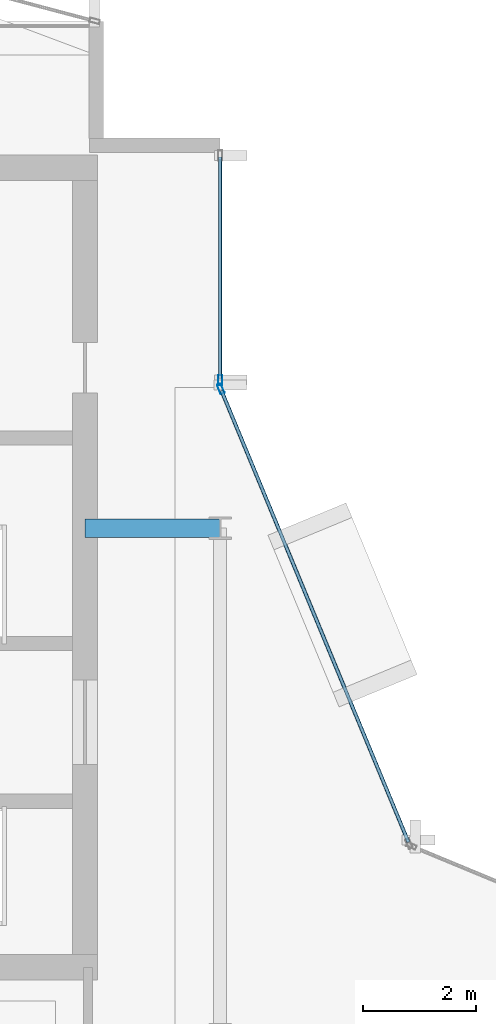
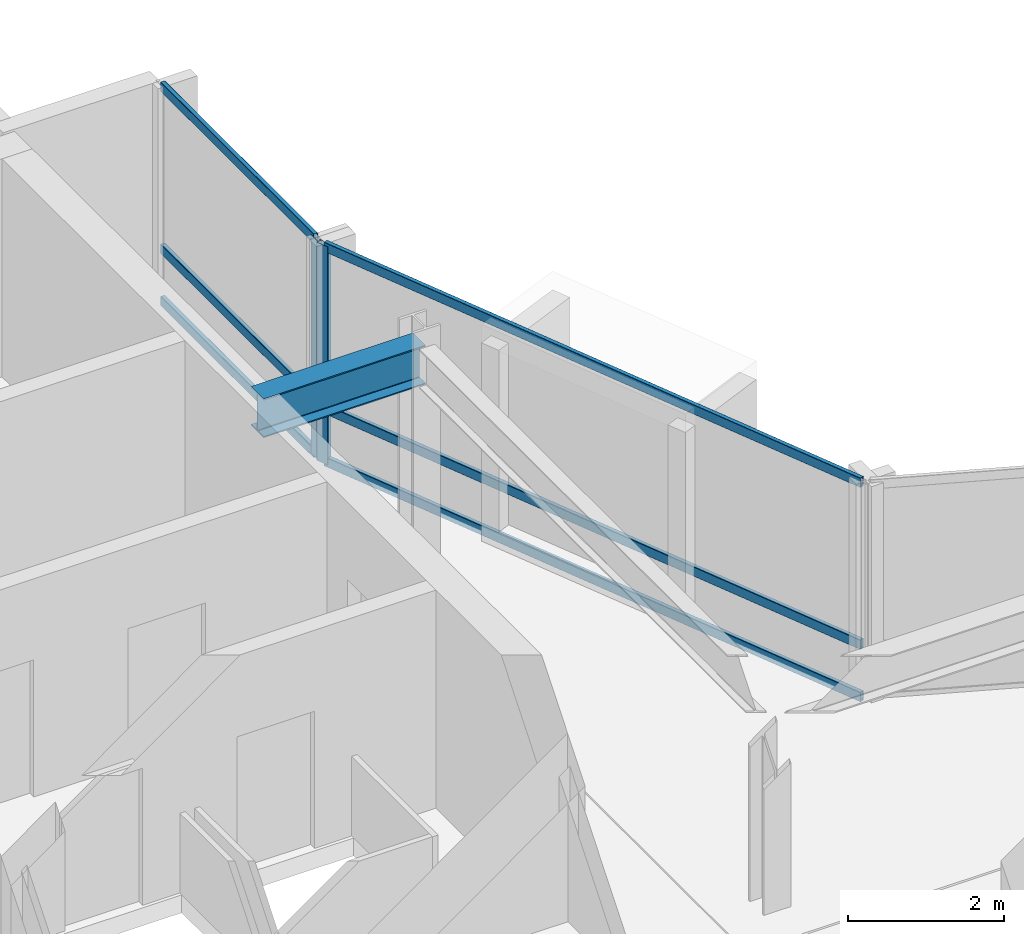
# One storey, part 17 of 27: 8 members, 1 beam, 2 elements without a shape of their own.
"""IFC4 building model written with IfcOpenShell, lengths in metres."""

from ifc_helpers import new_model, si_unit, direction, frame, origin, origin_2d, place, context, subcontext, project, spatial, hollow_rectangle, i_section, extrude, material, layer, layer_set, material_profile, profile_set, type_object, element, aggregate, save


model = new_model("IFC4")

# Units and contexts
model_context = context("Model", 3, precision=1e-05, world=origin(), true_north=direction((0.0, 1.0)))
body_context = subcontext(model_context, "Body", "Model", "MODEL_VIEW")
ifc_project = project(units=[si_unit("LENGTHUNIT", "METRE"), si_unit("AREAUNIT", "SQUARE_METRE"), si_unit("VOLUMEUNIT", "CUBIC_METRE"), si_unit("PLANEANGLEUNIT", "RADIAN"), si_unit("MASSUNIT", "GRAM", prefix="KILO")], contexts=[model_context])

# Site, building, storey
site_placement = place(None, origin())
site = spatial("IfcSite", under=ifc_project, at=site_placement, CompositionType="ELEMENT")
building_placement = place(site_placement, origin())
building = spatial("IfcBuilding", under=site, at=building_placement, Name="Solvaryn Broadcast Tower", CompositionType="ELEMENT")
storey_placement = place(building_placement, frame((0.0, 0.0, 224.699951171875)))
storey = spatial("IfcBuildingStorey", under=building, at=storey_placement, Name="L56", CompositionType="ELEMENT", Elevation=224.699951171875)

# Beam
ifc_material_1 = material(Name="Steel ASTM A992 Grade 50", Category="steel")
ifc_material_profile_1 = material_profile(ifc_material_1, i_section(OverallWidth=0.323974609375, OverallDepth=0.611083984375, WebThickness=0.0126953125, FlangeThickness=0.01904296875, FilletRadius=0.014892578125, at=origin_2d()))
ifc_profile_set_1 = profile_set([ifc_material_profile_1], Name="Steel ASTM A992 Grade 50")
beam_type = type_object("IfcBeamType", Name="BM-B1-W24X104", PredefinedType="BEAM", material=ifc_profile_set_1)
beam_placement = place(storey_placement, frame((24.60009765625, 36.0, 3.114501953125), z_axis=(1.0, 0.0, 0.0), x_axis=(0.0, 1.0, 0.0)))
element("IfcBeam", 1, at=beam_placement, inside=storey, type_object=beam_type, Name="L56 Core Tie Beam CTW2", PredefinedType="BEAM", context=body_context, shape_type="SweptSolid", body=[
    extrude(i_section(OverallWidth=0.323974609375, OverallDepth=0.611083984375, WebThickness=0.0126953125, FlangeThickness=0.01904296875, FilletRadius=0.014892578125, at=origin_2d()), origin(), (0.0, 0.0, 1.0), 2.39990234375),
])

# Curtain wall, member
ifc_material_2 = material(Name="Aluminium and Terracotta Unitised Curtain Wall", Category="masonry")
ifc_layer = layer(ifc_material_2, 0.199951171875)
ifc_layer_set = layer_set([ifc_layer], Name="CW-SYS2-LOWMID")
curtain_wall_type = type_object("IfcCurtainWallType", Name="CW-SYS2-LOWMID", PredefinedType="NOTDEFINED", material=ifc_layer_set)
curtain_wall_1_placement = place(storey_placement, origin())
curtain_wall_1 = element("IfcCurtainWall", 2, at=curtain_wall_1_placement, inside=storey, type_object=curtain_wall_type, Name="L56 Curtain Wall IV", PredefinedType="NOTDEFINED")
ifc_material_3 = material(Name="Anodised Aluminium 6063-T6", Category="aluminium")
ifc_material_profile_2 = material_profile(ifc_material_3, hollow_rectangle(XDim=0.074951171875, YDim=0.179931640625, WallThickness=0.00390625, InnerFilletRadius=0.00390625, OuterFilletRadius=0.008056640625, at=origin_2d()))
ifc_profile_set_2 = profile_set([ifc_material_profile_2], Name="Anodised Aluminium 6063-T6")
member_type_1 = type_object("IfcMemberType", Name="CW-MUL-180", PredefinedType="MULLION", material=ifc_profile_set_2)
member_1_placement = place(storey_placement, frame((27.0, 38.6298828125, 0.0), z_axis=(0.0, 0.0, 1.0), x_axis=(1.0, 0.0, 0.0)))
member_1 = element("IfcMember", 3, at=member_1_placement, type_object=member_type_1, Name="CWS2 mullion 2", PredefinedType="MULLION", context=body_context, shape_type="SweptSolid", body=[
    extrude(hollow_rectangle(XDim=0.074951171875, YDim=0.179931640625, WallThickness=0.00390625, InnerFilletRadius=0.00390625, OuterFilletRadius=0.008056640625, at=origin_2d()), origin(), (0.0, 0.0, 1.0), 3.420166015625),
])

curtain_wall_2_placement = place(storey_placement, origin())
curtain_wall_2 = element("IfcCurtainWall", 4, at=curtain_wall_2_placement, inside=storey, type_object=curtain_wall_type, Name="L56 Curtain Wall CN2", PredefinedType="NOTDEFINED")
member_2_placement = place(storey_placement, frame((27.011474609375, 38.47216796875, 0.0), z_axis=(0.0, 0.0, 1.0), x_axis=(-0.923894983957, -0.382646127145, 0.0)))
member_2 = element("IfcMember", 5, at=member_2_placement, type_object=member_type_1, Name="CWS2 mullion 2", PredefinedType="MULLION", context=body_context, shape_type="SweptSolid", body=[
    extrude(hollow_rectangle(XDim=0.074951171875, YDim=0.179931640625, WallThickness=0.00390625, InnerFilletRadius=0.00390625, OuterFilletRadius=0.008056640625, at=origin_2d()), origin(), (0.0, 0.0, 1.0), 3.420166015625),
])

# Member
ifc_material_4 = material(Name="Anodised Aluminium 6063-T6", Category="aluminium")
ifc_material_profile_3 = material_profile(ifc_material_4, hollow_rectangle(XDim=0.06494140625, YDim=0.14990234375, WallThickness=0.00390625, InnerFilletRadius=0.00390625, OuterFilletRadius=0.008056640625, at=origin_2d()))
ifc_profile_set_3 = profile_set([ifc_material_profile_3], Name="Anodised Aluminium 6063-T6")
member_type_2 = type_object("IfcMemberType", Name="CW-TRN-150", PredefinedType="USERDEFINED", material=ifc_profile_set_3)
member_3_placement = place(storey_placement, frame((27.0, 42.590087890625, 0.030029296875), z_axis=(0.0, -1.0, 0.0), x_axis=(1.0, 0.0, 0.0)))
member_3 = element("IfcMember", 6, at=member_3_placement, type_object=member_type_2, Name="CWS2 transom 1.1", ObjectType="TRANSOM", PredefinedType="USERDEFINED", context=body_context, shape_type="SweptSolid", body=[
    extrude(hollow_rectangle(XDim=0.06494140625, YDim=0.14990234375, WallThickness=0.00390625, InnerFilletRadius=0.00390625, OuterFilletRadius=0.008056640625, at=origin_2d()), origin(), (0.0, 0.0, 1.0), 3.93017578125),
])

member_4_placement = place(storey_placement, frame((27.0, 42.590087890625, 0.85009765625), z_axis=(0.0, -1.0, 0.0), x_axis=(1.0, 0.0, 0.0)))
member_4 = element("IfcMember", 7, at=member_4_placement, type_object=member_type_2, Name="CWS2 transom 1.2", ObjectType="TRANSOM", PredefinedType="USERDEFINED", context=body_context, shape_type="SweptSolid", body=[
    extrude(hollow_rectangle(XDim=0.06494140625, YDim=0.14990234375, WallThickness=0.00390625, InnerFilletRadius=0.00390625, OuterFilletRadius=0.008056640625, at=origin_2d()), origin(), (0.0, 0.0, 1.0), 3.93017578125),
])

member_5_placement = place(storey_placement, frame((27.0, 42.590087890625, 3.39013671875), z_axis=(0.0, -1.0, 0.0), x_axis=(1.0, 0.0, 0.0)))
member_5 = element("IfcMember", 8, at=member_5_placement, type_object=member_type_2, Name="CWS2 transom 1.3", ObjectType="TRANSOM", PredefinedType="USERDEFINED", context=body_context, shape_type="SweptSolid", body=[
    extrude(hollow_rectangle(XDim=0.06494140625, YDim=0.14990234375, WallThickness=0.00390625, InnerFilletRadius=0.00390625, OuterFilletRadius=0.008056640625, at=origin_2d()), origin(), (0.0, 0.0, 1.0), 3.93017578125),
])

aggregate(curtain_wall_1, [member_1, member_3, member_4, member_5])

member_6_placement = place(storey_placement, frame((30.344970703125, 30.42333984375, 0.030029296875), z_axis=(-0.382635748975, 0.923899282177, 0.0), x_axis=(-0.923899282177, -0.382635748975, 0.0)))
member_6 = element("IfcMember", 9, at=member_6_placement, type_object=member_type_2, Name="CWS2 transom 1.1", ObjectType="TRANSOM", PredefinedType="USERDEFINED", context=body_context, shape_type="SweptSolid", body=[
    extrude(hollow_rectangle(XDim=0.06494140625, YDim=0.14990234375, WallThickness=0.00390625, InnerFilletRadius=0.00390625, OuterFilletRadius=0.008056640625, at=origin_2d()), origin(), (0.0, 0.0, 1.0), 8.681884765625),
])

member_7_placement = place(storey_placement, frame((30.344970703125, 30.42333984375, 0.85009765625), z_axis=(-0.382635748975, 0.923899282177, 0.0), x_axis=(-0.923899282177, -0.382635748975, 0.0)))
member_7 = element("IfcMember", 10, at=member_7_placement, type_object=member_type_2, Name="CWS2 transom 1.2", ObjectType="TRANSOM", PredefinedType="USERDEFINED", context=body_context, shape_type="SweptSolid", body=[
    extrude(hollow_rectangle(XDim=0.06494140625, YDim=0.14990234375, WallThickness=0.00390625, InnerFilletRadius=0.00390625, OuterFilletRadius=0.008056640625, at=origin_2d()), origin(), (0.0, 0.0, 1.0), 8.681884765625),
])

member_8_placement = place(storey_placement, frame((30.344970703125, 30.42333984375, 3.39013671875), z_axis=(-0.382635748975, 0.923899282177, 0.0), x_axis=(-0.923899282177, -0.382635748975, 0.0)))
member_8 = element("IfcMember", 11, at=member_8_placement, type_object=member_type_2, Name="CWS2 transom 1.3", ObjectType="TRANSOM", PredefinedType="USERDEFINED", context=body_context, shape_type="SweptSolid", body=[
    extrude(hollow_rectangle(XDim=0.06494140625, YDim=0.14990234375, WallThickness=0.00390625, InnerFilletRadius=0.00390625, OuterFilletRadius=0.008056640625, at=origin_2d()), origin(), (0.0, 0.0, 1.0), 8.681884765625),
])

aggregate(curtain_wall_2, [member_2, member_6, member_7, member_8])

save(model, "model.ifc")
